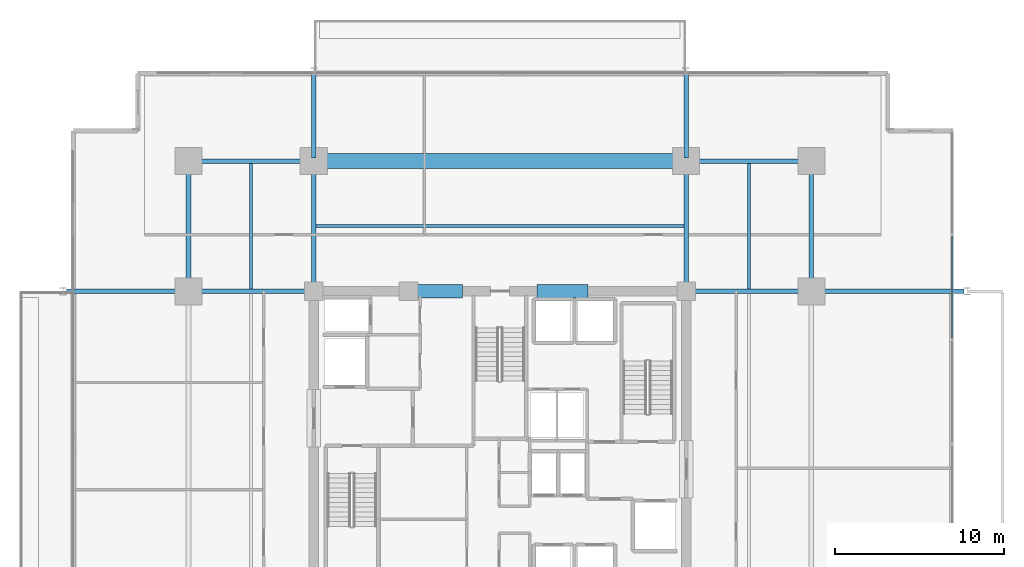
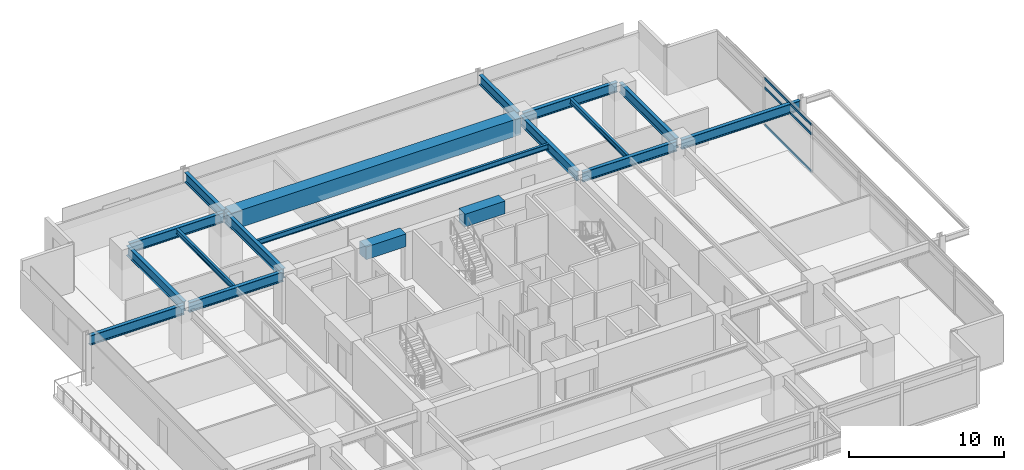
# One storey, part 11 of 23: 18 beams, 3 members, 1 element without a shape of its own.
"""IFC4 building model written with IfcOpenShell, lengths in metres."""

from ifc_helpers import new_model, si_unit, direction, frame, origin, origin_2d, place, context, subcontext, project, spatial, rectangle, hollow_rectangle, i_section, extrude, material, material_profile, profile_set, type_object, element, aggregate, save


model = new_model("IFC4")

# Units and contexts
model_context = context("Model", 3, precision=1e-05, world=origin(), true_north=direction((0.0, 1.0)))
body_context = subcontext(model_context, "Body", "Model", "MODEL_VIEW")
ifc_project = project(units=[si_unit("LENGTHUNIT", "METRE"), si_unit("AREAUNIT", "SQUARE_METRE"), si_unit("VOLUMEUNIT", "CUBIC_METRE"), si_unit("PLANEANGLEUNIT", "RADIAN"), si_unit("MASSUNIT", "GRAM", prefix="KILO")], contexts=[model_context])

# Site, building, storey
site_placement = place(None, origin())
site = spatial("IfcSite", under=ifc_project, at=site_placement, CompositionType="ELEMENT")
building_placement = place(site_placement, origin())
building = spatial("IfcBuilding", under=site, at=building_placement, Name="Kovane Verandah Tower", CompositionType="ELEMENT")
storey_placement = place(building_placement, frame((0.0, 0.0, 168.39990234375)))
storey = spatial("IfcBuildingStorey", under=building, at=storey_placement, Name="L39", CompositionType="ELEMENT", Elevation=168.39990234375)

# Beams
ifc_material_1 = material(Name="Concrete C60/75", Category="concrete")
ifc_material_profile_1 = material_profile(ifc_material_1, rectangle(XDim=0.800048828125, YDim=1.0, at=origin_2d()), Name="RCB800x1000")
ifc_profile_set_1 = profile_set([ifc_material_profile_1], Name="Concrete C60/75")
beam_type_1 = type_object("IfcBeamType", Name="BM-LINTEL-800x1000", PredefinedType="LINTEL", material=ifc_profile_set_1)
for number, where, z_axis, x_axis, name in (
    (1, (34.800048828125, 36.5, 3.275146484375), (1.0, 0.0, 0.0), (0.0, 1.0, 0.0), "L39 Core Coupling Lintel CL-N1"),
    (2, (42.199951171875, 36.5, 3.275146484375), (1.0, 0.0, 0.0), (0.0, 1.0, 0.0), "L39 Core Coupling Lintel CL-N2"),
):
    element("IfcBeam", number, at=place(storey_placement, frame(where, z_axis=z_axis, x_axis=x_axis)), inside=storey, type_object=beam_type_1, Name=name, PredefinedType="LINTEL", context=body_context, shape_type="SweptSolid", body=[
        extrude(rectangle(XDim=0.800048828125, YDim=1.0, at=origin_2d()), origin(), (0.0, 0.0, 1.0), 3.0),
    ])
ifc_material_2 = material(Name="Concrete C80/95", Category="concrete")
ifc_material_profile_2 = material_profile(ifc_material_2, rectangle(XDim=0.89990234375, YDim=1.35009765625, at=origin_2d()), Name="RCB900x1350")
ifc_profile_set_2 = profile_set([ifc_material_profile_2], Name="Concrete C80/95")
beam_type_2 = type_object("IfcBeamType", Name="BM-TR-900x1350", PredefinedType="BEAM", material=ifc_profile_set_2)
beam_1_placement = place(storey_placement, frame((29.179931640625, 44.199951171875, 3.10009765625), z_axis=(1.0, 0.0, 0.0), x_axis=(0.0, 1.0, 0.0)))
element("IfcBeam", 3, at=beam_1_placement, inside=storey, type_object=beam_type_2, Name="L39 Primary Tower Girder G-RN2", PredefinedType="BEAM", context=body_context, shape_type="SweptSolid", body=[
    extrude(rectangle(XDim=0.89990234375, YDim=1.35009765625, at=origin_2d()), origin(), (0.0, 0.0, 1.0), 21.64013671875),
])
ifc_material_3 = material(Name="Steel S355", Category="steel")
ifc_material_profile_3 = material_profile(ifc_material_3, i_section(OverallWidth=0.26806640625, OverallDepth=0.769775390625, WebThickness=0.015625, FlangeThickness=0.025390625, FilletRadius=0.0166015625, at=origin_2d()), Name="UB762x267x197")
ifc_profile_set_3 = profile_set([ifc_material_profile_3], Name="Steel S355")
beam_type_3 = type_object("IfcBeamType", Name="BM-UB762x197", PredefinedType="BEAM", material=ifc_profile_set_3)
for number, where, z_axis, x_axis, name in (
    (4, (21.780029296875, 44.199951171875, 3.39013671875), (1.0, 0.0, 0.0), (0.0, 1.0, 0.0), "L39 Primary Tower Girder G-RN1"),
    (5, (51.179931640625, 44.199951171875, 3.39013671875), (1.0, 0.0, 0.0), (0.0, 1.0, 0.0), "L39 Primary Tower Girder G-RN3"),
):
    element("IfcBeam", number, at=place(storey_placement, frame(where, z_axis=z_axis, x_axis=x_axis)), inside=storey, type_object=beam_type_3, Name=name, PredefinedType="BEAM", context=body_context, shape_type="SweptSolid", body=[
        extrude(i_section(OverallWidth=0.26806640625, OverallDepth=0.769775390625, WebThickness=0.015625, FlangeThickness=0.025390625, FilletRadius=0.0166015625, at=origin_2d()), origin(), (0.0, 0.0, 1.0), 7.0400390625),
    ])
for number, where, z_axis, x_axis, name in (
    (6, (21.60009765625, 36.679931640625, 3.39013671875), (0.0, 1.0, 0.0), (-1.0, 0.0, 0.0), "L39 Primary Tower Girder G-RW3"),
    (7, (58.39990234375, 36.679931640625, 3.39013671875), (0.0, 1.0, 0.0), (-1.0, 0.0, 0.0), "L39 Primary Tower Girder G-RE3"),
):
    element("IfcBeam", number, at=place(storey_placement, frame(where, z_axis=z_axis, x_axis=x_axis)), inside=storey, type_object=beam_type_3, Name=name, PredefinedType="BEAM", context=body_context, shape_type="SweptSolid", body=[
        extrude(i_section(OverallWidth=0.26806640625, OverallDepth=0.769775390625, WebThickness=0.015625, FlangeThickness=0.025390625, FilletRadius=0.0166015625, at=origin_2d()), origin(), (0.0, 0.0, 1.0), 7.340087890625),
    ])
for number, where, z_axis, x_axis, name in (
    (8, (28.820068359375, 36.5, 3.39013671875), (-1.0, 0.0, 0.0), (0.0, -1.0, 0.0), "L39 Primary Tower Girder G-W2"),
    (9, (51.179931640625, 36.5, 3.39013671875), (1.0, 0.0, 0.0), (0.0, 1.0, 0.0), "L39 Primary Tower Girder G-E2"),
):
    element("IfcBeam", number, at=place(storey_placement, frame(where, z_axis=z_axis, x_axis=x_axis)), inside=storey, type_object=beam_type_3, Name=name, PredefinedType="BEAM", context=body_context, shape_type="SweptSolid", body=[
        extrude(i_section(OverallWidth=0.26806640625, OverallDepth=0.769775390625, WebThickness=0.015625, FlangeThickness=0.025390625, FilletRadius=0.0166015625, at=origin_2d()), origin(), (0.0, 0.0, 1.0), 7.0400390625),
    ])
for number, where, z_axis, x_axis, name in (
    (10, (29.0, 36.679931640625, 3.39013671875), (0.0, 1.0, 0.0), (-1.0, 0.0, 0.0), "L39 Primary Tower Girder G-N1"),
    (11, (51.0, 36.679931640625, 3.39013671875), (0.0, 1.0, 0.0), (-1.0, 0.0, 0.0), "L39 Primary Tower Girder G-N2"),
):
    element("IfcBeam", number, at=place(storey_placement, frame(where, z_axis=z_axis, x_axis=x_axis)), inside=storey, type_object=beam_type_3, Name=name, PredefinedType="BEAM", context=body_context, shape_type="SweptSolid", body=[
        extrude(i_section(OverallWidth=0.26806640625, OverallDepth=0.769775390625, WebThickness=0.015625, FlangeThickness=0.025390625, FilletRadius=0.0166015625, at=origin_2d()), origin(), (0.0, 0.0, 1.0), 7.340087890625),
    ])
beam_2_placement = place(storey_placement, frame((21.419921875, 36.5, 3.375244140625), z_axis=(-1.0, 0.0, 0.0), x_axis=(0.0, -1.0, 0.0)))
element("IfcBeam", 12, at=beam_2_placement, inside=storey, type_object=beam_type_3, Name="L39 Primary Tower Girder G-VW2", PredefinedType="BEAM", context=body_context, shape_type="SweptSolid", body=[
    extrude(i_section(OverallWidth=0.26806640625, OverallDepth=0.769775390625, WebThickness=0.015625, FlangeThickness=0.025390625, FilletRadius=0.0166015625, at=origin_2d()), origin(), (0.0, 0.0, 1.0), 7.0400390625),
])
beam_3_placement = place(storey_placement, frame((58.580078125, 36.5, 3.375244140625), z_axis=(1.0, 0.0, 0.0), x_axis=(0.0, 1.0, 0.0)))
element("IfcBeam", 13, at=beam_3_placement, inside=storey, type_object=beam_type_3, Name="L39 Primary Tower Girder G-VE2", PredefinedType="BEAM", context=body_context, shape_type="SweptSolid", body=[
    extrude(i_section(OverallWidth=0.26806640625, OverallDepth=0.769775390625, WebThickness=0.015625, FlangeThickness=0.025390625, FilletRadius=0.0166015625, at=origin_2d()), origin(), (0.0, 0.0, 1.0), 8.83984375),
])
for number, where, z_axis, x_axis, name in (
    (14, (29.0, 44.3798828125, 3.375244140625), (0.0, 1.0, 0.0), (-1.0, 0.0, 0.0), "L39 Primary Tower Girder G-VN1"),
    (15, (51.0, 44.3798828125, 3.375244140625), (0.0, 1.0, 0.0), (-1.0, 0.0, 0.0), "L39 Primary Tower Girder G-VN2"),
):
    element("IfcBeam", number, at=place(storey_placement, frame(where, z_axis=z_axis, x_axis=x_axis)), inside=storey, type_object=beam_type_3, Name=name, PredefinedType="BEAM", context=body_context, shape_type="SweptSolid", body=[
        extrude(i_section(OverallWidth=0.26806640625, OverallDepth=0.769775390625, WebThickness=0.015625, FlangeThickness=0.025390625, FilletRadius=0.0166015625, at=origin_2d()), origin(), (0.0, 0.0, 1.0), 4.940185546875),
    ])

# Curtain wall, members
ifc_material_4 = material(Name="Champagne Anodised Aluminium Frame with Low-E Clear Laminated Glass", Category="aluminium")
curtain_wall_type = type_object("IfcCurtainWallType", Name="CW-SYS-03-MID", PredefinedType="NOTDEFINED", material=ifc_material_4)
curtain_wall_placement = place(storey_placement, origin())
curtain_wall = element("IfcCurtainWall", 16, at=curtain_wall_placement, inside=storey, type_object=curtain_wall_type, Name="L39 E Unitised Curtain Wall", PredefinedType="NOTDEFINED")
ifc_material_5 = material(Name="Champagne Anodised Aluminium 6063-T6", Category="aluminium")
ifc_material_profile_4 = material_profile(ifc_material_5, hollow_rectangle(XDim=0.0849609375, YDim=0.18994140625, WallThickness=0.00390625, at=origin_2d()), Name="AL85x190x4")
ifc_profile_set_4 = profile_set([ifc_material_profile_4], Name="Champagne Anodised Aluminium 6063-T6")
member_type = type_object("IfcMemberType", Name="CW-TRN-85x190", PredefinedType="USERDEFINED", material=ifc_profile_set_4)
member_1_placement = place(storey_placement, frame((66.7197265625, 33.710693359375, 0.050048828125), z_axis=(0.0, 1.0, 0.0), x_axis=(-1.0, 0.0, 0.0)))
member_1 = element("IfcMember", 17, at=member_1_placement, type_object=member_type, Name="L39 E Unitised Curtain Wall Transom TB Bay 5", ObjectType="TRANSOM", PredefinedType="USERDEFINED", context=body_context, shape_type="SweptSolid", body=[
    extrude(hollow_rectangle(XDim=0.0849609375, YDim=0.18994140625, WallThickness=0.00390625, at=origin_2d()), origin(), (0.0, 0.0, 1.0), 6.060791015625),
])
member_2_placement = place(storey_placement, frame((66.7197265625, 33.710693359375, 2.9951171875), z_axis=(0.0, 1.0, 0.0), x_axis=(-1.0, 0.0, 0.0)))
member_2 = element("IfcMember", 18, at=member_2_placement, type_object=member_type, Name="L39 E Unitised Curtain Wall Transom TM Bay 5", ObjectType="TRANSOM", PredefinedType="USERDEFINED", context=body_context, shape_type="SweptSolid", body=[
    extrude(hollow_rectangle(XDim=0.0849609375, YDim=0.18994140625, WallThickness=0.00390625, at=origin_2d()), origin(), (0.0, 0.0, 1.0), 6.060791015625),
])
member_3_placement = place(storey_placement, frame((66.7197265625, 33.710693359375, 3.72509765625), z_axis=(0.0, 1.0, 0.0), x_axis=(-1.0, 0.0, 0.0)))
member_3 = element("IfcMember", 19, at=member_3_placement, type_object=member_type, Name="L39 E Unitised Curtain Wall Transom TT Bay 5", ObjectType="TRANSOM", PredefinedType="USERDEFINED", context=body_context, shape_type="SweptSolid", body=[
    extrude(hollow_rectangle(XDim=0.0849609375, YDim=0.18994140625, WallThickness=0.00390625, at=origin_2d()), origin(), (0.0, 0.0, 1.0), 6.060791015625),
])
aggregate(curtain_wall, [member_1, member_2, member_3])

# Beams
ifc_material_profile_5 = material_profile(ifc_material_3, i_section(OverallWidth=0.179443359375, OverallDepth=0.412841796875, WebThickness=0.009521484375, FlangeThickness=0.01611328125, FilletRadius=0.01025390625, at=origin_2d()), Name="UB406x178x74")
ifc_profile_set_5 = profile_set([ifc_material_profile_5], Name="Steel S355")
beam_type_4 = type_object("IfcBeamType", Name="JST-UB406x74", PredefinedType="JOIST", material=ifc_profile_set_5)
beam_4_placement = place(storey_placement, frame((29.132080078125, 40.35009765625, 3.568603515625), z_axis=(1.0, 0.0, 0.0), x_axis=(0.0, 1.0, 0.0)))
element("IfcBeam", 20, at=beam_4_placement, inside=storey, type_object=beam_type_4, Name="L39 Secondary Composite Joist J-N1", PredefinedType="JOIST", context=body_context, shape_type="SweptSolid", body=[
    extrude(i_section(OverallWidth=0.179443359375, OverallDepth=0.412841796875, WebThickness=0.009521484375, FlangeThickness=0.01611328125, FilletRadius=0.01025390625, at=origin_2d()), origin(), (0.0, 0.0, 1.0), 21.73583984375),
])
for number, where, z_axis, x_axis, name in (
    (21, (25.300048828125, 36.632080078125, 3.568603515625), (0.0, 1.0, 0.0), (-1.0, 0.0, 0.0), "L39 Secondary Composite Joist J-NW1"),
    (22, (54.699951171875, 36.632080078125, 3.568603515625), (0.0, 1.0, 0.0), (-1.0, 0.0, 0.0), "L39 Secondary Composite Joist J-NE1"),
):
    element("IfcBeam", number, at=place(storey_placement, frame(where, z_axis=z_axis, x_axis=x_axis)), inside=storey, type_object=beam_type_4, Name=name, PredefinedType="JOIST", context=body_context, shape_type="SweptSolid", body=[
        extrude(i_section(OverallWidth=0.179443359375, OverallDepth=0.412841796875, WebThickness=0.009521484375, FlangeThickness=0.01611328125, FilletRadius=0.01025390625, at=origin_2d()), origin(), (0.0, 0.0, 1.0), 7.43603515625),
    ])

save(model, "model.ifc")
